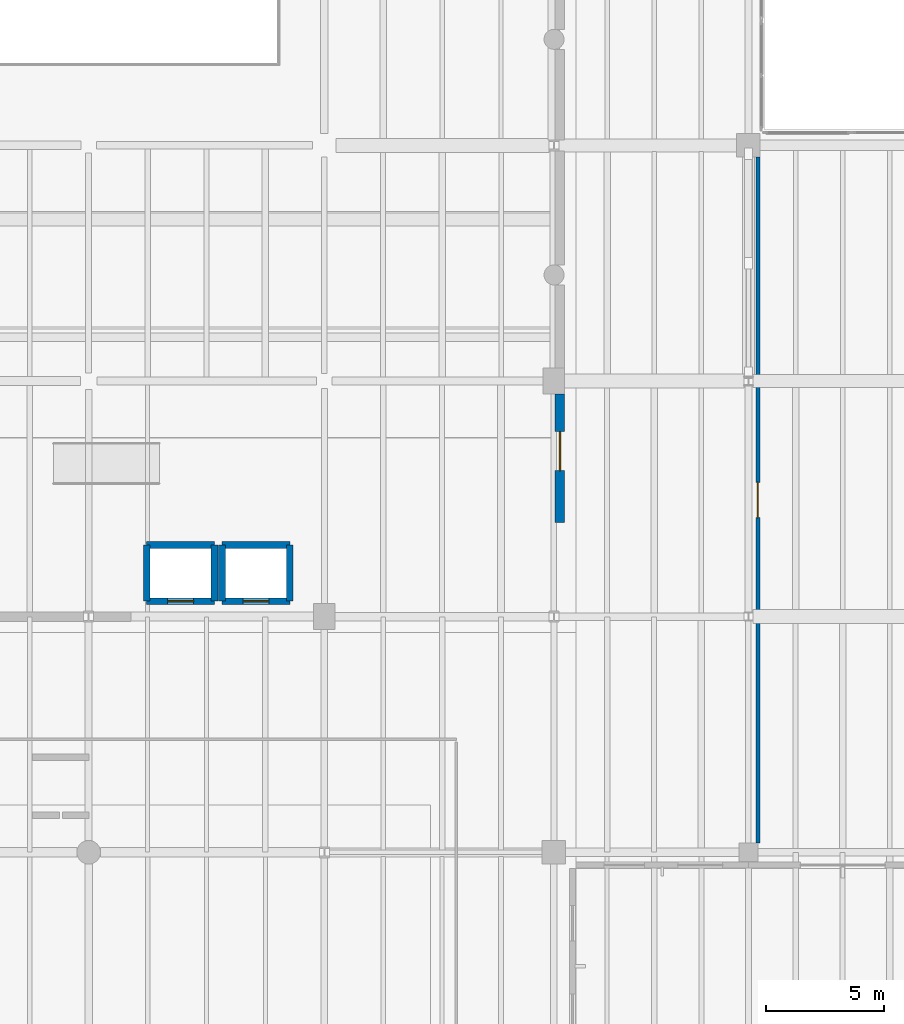
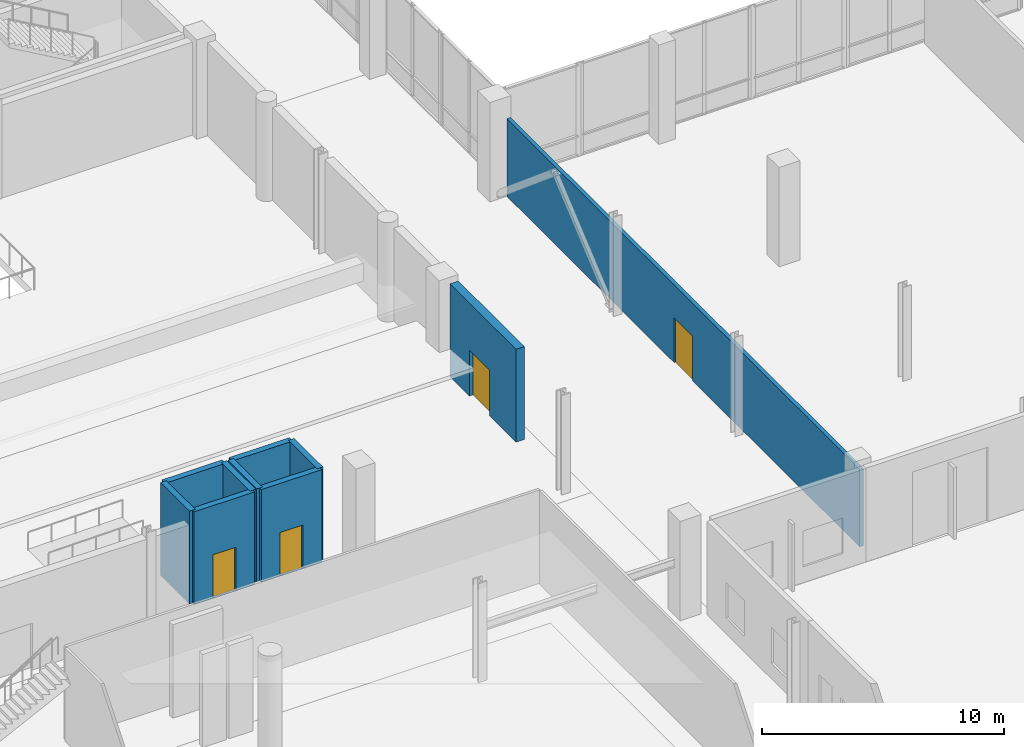
# One storey, part 69 of 88: 10 walls, 4 doors, 4 openings.
"""IFC4 building model written with IfcOpenShell, lengths in metres."""

import ifcopenshell
import ifcopenshell.guid

model = None  # the IFC model being written
_history = None  # IfcOwnerHistory: only IFC2X3 demands one
_inside = {}  # id of a spatial element -> (the spatial element, [elements in it])
_under = {}  # id of a project, library or spatial element -> (it, [spatial elements below it])
_declared = {}  # id of a project -> (the project, [libraries it declares])
_typed = {}  # id of a type object -> (the type object, [elements of that type])
_made_of = {}  # id of a material, layer set ... -> (it, [elements and type objects made of it])


def new_model(schema):
    """Start an empty IFC model of exactly this schema.

    Asked for "IFC4X3", IfcOpenShell would pick the latest addendum, in which some entities
    have other attributes; the version numbers below select the first issue.
    IFC2X3 requires an IfcOwnerHistory on every rooted entity: one is made here for all.
    """
    global model, _history
    if schema == "IFC4X3":
        model = ifcopenshell.file(schema_version=(4, 3, 0, 0))
    else:
        model = ifcopenshell.file(schema=schema)
    _inside.clear()
    _under.clear()
    _declared.clear()
    _typed.clear()
    _made_of.clear()
    _history = None
    if model.schema == "IFC2X3":
        org = make("IfcOrganization", Name="unknown")
        user = make(
            "IfcPersonAndOrganization",
            ThePerson=make("IfcPerson", FamilyName="unknown"),
            TheOrganization=org,
        )
        app = make(
            "IfcApplication",
            ApplicationDeveloper=org,
            Version="unknown",
            ApplicationFullName="unknown",
            ApplicationIdentifier="unknown",
        )
        _history = make(
            "IfcOwnerHistory",
            OwningUser=user,
            OwningApplication=app,
            ChangeAction="ADDED",
            CreationDate=0,
        )
    return model


def make(cls, **values):
    """One entity of the class cls with the attributes given. An attribute that is None is left unset."""
    return model.create_entity(
        cls, **{name: value for name, value in values.items() if value is not None}
    )


def rooted(cls, **values):
    """An entity with a GlobalId (a new one), such as an element, a storey or a relation."""
    return make(cls, GlobalId=ifcopenshell.guid.new(), OwnerHistory=_history, **values)


def si_unit(unit_type, name, prefix=None):
    """IfcSIUnit, for example si_unit("LENGTHUNIT", "METRE", prefix="MILLI")."""
    return make("IfcSIUnit", UnitType=unit_type, Prefix=prefix, Name=name)


def assignment(units):
    """IfcUnitAssignment: the units of a project."""
    return None if units is None else make("IfcUnitAssignment", Units=units)


def point(xyz):
    """IfcCartesianPoint."""
    return None if xyz is None else make("IfcCartesianPoint", Coordinates=xyz)


def direction(xyz):
    """IfcDirection."""
    return None if xyz is None else make("IfcDirection", DirectionRatios=xyz)


def frame(location, z_axis=None, x_axis=None):
    """IfcAxis2Placement3D, a coordinate frame: its origin and axes. An axis left out is left unset."""
    return make(
        "IfcAxis2Placement3D",
        Location=point(location),
        Axis=direction(z_axis),
        RefDirection=direction(x_axis),
    )


def frame_2d(location, x_axis=None):
    """IfcAxis2Placement2D, a coordinate frame in the plane: its origin and x axis."""
    return make(
        "IfcAxis2Placement2D", Location=point(location), RefDirection=direction(x_axis)
    )


def origin():
    """The frame at (0, 0, 0) with its axes left unset."""
    return frame((0.0, 0.0, 0.0))


def place(relative_to, where):
    """IfcLocalPlacement: puts the frame where relative to a parent placement (None: the world)."""
    return make(
        "IfcLocalPlacement", PlacementRelTo=relative_to, RelativePlacement=where
    )


def context(
    kind, dimensions, precision=None, world=None, true_north=None, identifier=None
):
    """IfcGeometricRepresentationContext, for example the 3D "Model" context."""
    return make(
        "IfcGeometricRepresentationContext",
        ContextIdentifier=identifier,
        ContextType=kind,
        CoordinateSpaceDimension=dimensions,
        Precision=precision,
        WorldCoordinateSystem=world,
        TrueNorth=true_north,
    )


def subcontext(parent, identifier, kind, view, scale=None):
    """IfcGeometricRepresentationSubContext, for example "Body" below "Model"."""
    return make(
        "IfcGeometricRepresentationSubContext",
        ContextIdentifier=identifier,
        ContextType=kind,
        ParentContext=parent,
        TargetScale=scale,
        TargetView=view,
    )


def project(units=None, contexts=None):
    """IfcProject with its units and contexts."""
    return rooted(
        "IfcProject",
        Name="project",
        RepresentationContexts=contexts,
        UnitsInContext=assignment(units),
    )


def spatial(cls, under=None, at=None, **own):
    """A site, building, storey or space (cls), placed at a placement, below another one or the project."""
    s = rooted(cls, ObjectPlacement=at, **own)
    if under is not None:
        _under.setdefault(under.id(), (under, []))[1].append(s)
    return s


def profile(cls, at=None, kind="AREA", **sizes):
    """A parametric profile (cls). Its sizes go by their IFC names, for example OverallWidth=200.0."""
    return make(cls, ProfileType=kind, Position=at, **sizes)


def rectangle(**sizes):
    """IfcRectangleProfileDef."""
    return profile("IfcRectangleProfileDef", **sizes)


def extrude(swept, where, along, depth):
    """IfcExtrudedAreaSolid: the profile swept, set in the frame where, extruded along a direction by depth."""
    return make(
        "IfcExtrudedAreaSolid",
        SweptArea=swept,
        Position=where,
        ExtrudedDirection=direction(along),
        Depth=depth,
    )


def shape(context_of_items, identifier, shape_type, items):
    """IfcShapeRepresentation: the items that make up one representation, for example the "Body"."""
    return make(
        "IfcShapeRepresentation",
        ContextOfItems=context_of_items,
        RepresentationIdentifier=identifier,
        RepresentationType=shape_type,
        Items=items,
    )


def material(Name=None, Category=None):
    """IfcMaterial."""
    return make("IfcMaterial", Name=Name, Category=Category)


def layer(
    of_material, thickness, ventilated=None, Name=None, Category=None, Priority=None
):
    """IfcMaterialLayer: one layer of a wall or slab, of a material (None: an air gap)."""
    return make(
        "IfcMaterialLayer",
        Material=of_material,
        LayerThickness=thickness,
        IsVentilated=ventilated,
        Name=Name,
        Category=Category,
        Priority=Priority,
    )


def layer_set(layers, Name=None):
    """IfcMaterialLayerSet."""
    return make("IfcMaterialLayerSet", MaterialLayers=layers, LayerSetName=Name)


def made_of(thing, what):
    """Note that an element or type object is made of a material, layer set ...; save() writes the relation."""
    if what is not None:
        _made_of.setdefault(what.id(), (what, []))[1].append(thing)
    return thing


def type_object(cls, material=None, **own):
    """A type object (cls), such as IfcWallType, which elements share."""
    return made_of(rooted(cls, **own), material)


def element(
    cls,
    number,
    at=None,
    inside=None,
    cuts=None,
    type_object=None,
    material=None,
    context=None,
    identifier="Body",
    shape_type=None,
    held_by="IfcProductDefinitionShape",
    body=None,
    shapes=None,
    **own,
):
    """One element of the class cls, such as IfcWall. Its Tag is "e" and its number.

    at: its placement. inside: the storey or other place that contains it. cuts: it is an
    opening in that element (IfcRelVoidsElement). A single representation is given by context,
    identifier, shape_type and body (its items); several are given by shapes. held_by: the class
    of the entity that holds the representations. save() writes the other relations.
    """
    e = rooted(cls, Tag="e%d" % number, ObjectPlacement=at, **own)
    if body is not None:
        shapes = [shape(context, identifier, shape_type, body)]
    if shapes is not None:
        e.Representation = make(held_by, Representations=shapes)
    if inside is not None:
        _inside.setdefault(inside.id(), (inside, []))[1].append(e)
    if cuts is not None:
        rooted(
            "IfcRelVoidsElement", RelatingBuildingElement=cuts, RelatedOpeningElement=e
        )
    if type_object is not None:
        _typed.setdefault(type_object.id(), (type_object, []))[1].append(e)
    return made_of(e, material)


def fill(opening, filler):
    """IfcRelFillsElement: the door or window that sits in an opening."""
    return rooted(
        "IfcRelFillsElement",
        RelatingOpeningElement=opening,
        RelatedBuildingElement=filler,
    )


def aggregate(whole, parts):
    """IfcRelAggregates: a whole, such as a stair, and the parts it consists of."""
    return rooted("IfcRelAggregates", RelatingObject=whole, RelatedObjects=parts)


def save(model, path):
    """Write the relations noted so far, then the file.

    IfcRelAggregates (storeys below a building ...), IfcRelContainedInSpatialStructure (elements
    in a storey), IfcRelDefinesByType, IfcRelAssociatesMaterial and IfcRelDeclares: one each for
    every whole, place, type object, material and project.
    """
    for whole, parts in _under.values():
        aggregate(whole, parts)
    for where, things in _inside.values():
        rooted(
            "IfcRelContainedInSpatialStructure",
            RelatedElements=things,
            RelatingStructure=where,
        )
    for kind, things in _typed.values():
        rooted("IfcRelDefinesByType", RelatedObjects=things, RelatingType=kind)
    for what, things in _made_of.values():
        rooted("IfcRelAssociatesMaterial", RelatedObjects=things, RelatingMaterial=what)
    for by, libraries in _declared.values():
        rooted("IfcRelDeclares", RelatingContext=by, RelatedDefinitions=libraries)
    model.write(path)


model = new_model("IFC4")

# Units and contexts
model_context = context("Model", 3, precision=1e-05, world=origin(), true_north=direction((0.0, 1.0)))
body_context = subcontext(model_context, "Body", "Model", "MODEL_VIEW")
ifc_project = project(units=[si_unit("LENGTHUNIT", "METRE"), si_unit("AREAUNIT", "SQUARE_METRE"), si_unit("VOLUMEUNIT", "CUBIC_METRE"), si_unit("PLANEANGLEUNIT", "RADIAN"), si_unit("MASSUNIT", "GRAM", prefix="KILO")], contexts=[model_context])

# Site, building, storey
site_placement = place(None, origin())
site = spatial("IfcSite", under=ifc_project, at=site_placement, CompositionType="ELEMENT")
building_placement = place(site_placement, origin())
building = spatial("IfcBuilding", under=site, at=building_placement, Name="Trimount Lyric Opera House", CompositionType="ELEMENT")
storey_placement = place(building_placement, origin())
storey = spatial("IfcBuildingStorey", under=building, at=storey_placement, Name="L00", CompositionType="ELEMENT", Elevation=0.0)

# Wall, opening, door
ifc_material_1 = material(Name="Acoustic Double-Stud Gypsum Board")
ifc_layer_1 = layer(ifc_material_1, 0.179931640625)
ifc_layer_set_1 = layer_set([ifc_layer_1], Name="WL-PT180")
wall_type_1 = type_object("IfcWallType", Name="WL-PT180", PredefinedType="PARTITIONING", material=ifc_layer_set_1)
wall_1_placement = place(storey_placement, frame((122.39990234375, 73.5, 0.0), z_axis=(0.0, 0.0, 1.0), x_axis=(0.0, -1.0, 0.0)))
wall_1 = element("IfcWall", 1, at=wall_1_placement, inside=storey, type_object=wall_type_1, Name="L00 Scenery Carpentry & Dock Hall W partition", PredefinedType="PARTITIONING", context=body_context, shape_type="SweptSolid", body=[
    extrude(rectangle(XDim=29.10009765625, YDim=0.179931640625, at=frame_2d((14.550048828125, 0.0))), origin(), (0.0, 0.0, 1.0), 3.909912109375),
])
opening_1_placement = place(wall_1_placement, frame((13.800048828125, 0.0, 0.0)))
opening_1 = element("IfcOpeningElement", 2, at=opening_1_placement, cuts=wall_1, Name="Opening DT-PL1", PredefinedType="OPENING", context=body_context, shape_type="SweptSolid", body=[
    extrude(rectangle(XDim=1.5, YDim=2.25, at=frame_2d((0.75, 1.125))), frame((0.0, 0.10009765625, 0.0), z_axis=(0.0, -1.0, 0.0), x_axis=(1.0, 0.0, 0.0)), (0.0, 0.0, 1.0), 0.199951171875),
])
ifc_material_2 = material(Name="Fire-Rated Painted Steel", Category="steel")
door_type_1 = type_object("IfcDoorType", Name="DT-PL1", OperationType="DOUBLE_DOOR_SINGLE_SWING", PredefinedType="DOOR", material=ifc_material_2)
door_1_placement = place(opening_1_placement, origin())
door_1 = element("IfcDoor", 3, at=door_1_placement, inside=storey, type_object=door_type_1, Name="D-188", OperationType="DOUBLE_DOOR_SINGLE_SWING", OverallHeight=2.25, OverallWidth=1.5, PredefinedType="DOOR", context=body_context, shape_type="SweptSolid", body=[
    extrude(rectangle(XDim=1.5, YDim=2.25, at=frame_2d((0.75, 1.125))), frame((0.0, 0.02490234375, 0.0), z_axis=(0.0, -1.0, 0.0), x_axis=(1.0, 0.0, 0.0)), (0.0, 0.0, 1.0), 0.050048828125),
])
fill(opening_1, door_1)

ifc_material_3 = material(Name="Concrete C40/50", Category="concrete")
ifc_layer_2 = layer(ifc_material_3, 0.280029296875)
ifc_layer_set_2 = layer_set([ifc_layer_2], Name="WL-SH280")
wall_type_2 = type_object("IfcWallType", Name="WL-SH280", PredefinedType="SHEAR", material=ifc_layer_set_2)
wall_2_placement = place(storey_placement, frame((96.4599609375, 54.659912109375, 0.0), z_axis=(0.0, 0.0, 1.0), x_axis=(1.0, 0.0, 0.0)))
wall_2 = element("IfcWall", 4, at=wall_2_placement, inside=storey, type_object=wall_type_2, Name="Lift LF-03 L00 south shaft wall", PredefinedType="SHEAR", context=body_context, shape_type="SweptSolid", body=[
    extrude(rectangle(XDim=2.880126953125, YDim=0.280029296875, at=frame_2d((1.43994140625, 0.0))), origin(), (0.0, 0.0, 1.0), 4.675048828125),
])
opening_2_placement = place(wall_2_placement, frame((0.889892578125, 0.0, 0.0)))
opening_2 = element("IfcOpeningElement", 5, at=opening_2_placement, cuts=wall_2, Name="Opening DT-LD1", PredefinedType="OPENING", context=body_context, shape_type="SweptSolid", body=[
    extrude(rectangle(XDim=1.10009765625, YDim=2.199951171875, at=frame_2d((0.550048828125, 1.10009765625))), frame((0.0, 0.14990234375, 0.0), z_axis=(0.0, -1.0, 0.0), x_axis=(1.0, 0.0, 0.0)), (0.0, 0.0, 1.0), 0.300048828125),
])
ifc_material_4 = material(Name="Brushed Stainless Steel", Category="steel")
door_type_2 = type_object("IfcDoorType", Name="DT-LD1", OperationType="SLIDING_TO_LEFT", PredefinedType="DOOR", material=ifc_material_4)
door_2_placement = place(opening_2_placement, origin())
door_2 = element("IfcDoor", 6, at=door_2_placement, inside=storey, type_object=door_type_2, Name="D-080", OperationType="SLIDING_TO_LEFT", OverallHeight=2.199951171875, OverallWidth=1.10009765625, PredefinedType="DOOR", context=body_context, shape_type="SweptSolid", body=[
    extrude(rectangle(XDim=1.10009765625, YDim=2.199951171875, at=frame_2d((0.550048828125, 1.10009765625))), frame((0.0, 0.02490234375, 0.0), z_axis=(0.0, -1.0, 0.0), x_axis=(1.0, 0.0, 0.0)), (0.0, 0.0, 1.0), 0.050048828125),
])
fill(opening_2, door_2)

# Walls
wall_3_placement = place(storey_placement, frame((99.340087890625, 57.0400390625, 0.0), z_axis=(0.0, 0.0, 1.0), x_axis=(-1.0, 0.0, 0.0)))
element("IfcWall", 7, at=wall_3_placement, inside=storey, type_object=wall_type_2, Name="Lift LF-03 L00 north shaft wall", PredefinedType="SHEAR", context=body_context, shape_type="SweptSolid", body=[
    extrude(rectangle(XDim=2.880126953125, YDim=0.280029296875, at=frame_2d((1.43994140625, 0.0))), origin(), (0.0, 0.0, 1.0), 4.675048828125),
])
for number, where, z_axis, x_axis, name in (
    (8, (96.4599609375, 57.0400390625, 0.0), (0.0, 0.0, 1.0), (0.0, -1.0, 0.0), "Lift LF-03 L00 west shaft wall"),
    (9, (99.340087890625, 54.659912109375, 0.0), (0.0, 0.0, 1.0), (0.0, 1.0, 0.0), "Lift LF-03 L00 east shaft wall"),
):
    element("IfcWall", number, at=place(storey_placement, frame(where, z_axis=z_axis, x_axis=x_axis)), inside=storey, type_object=wall_type_2, Name=name, PredefinedType="SHEAR", context=body_context, shape_type="SweptSolid", body=[
        extrude(rectangle(XDim=2.380126953125, YDim=0.280029296875, at=frame_2d((1.18994140625, 0.0))), origin(), (0.0, 0.0, 1.0), 4.675048828125),
    ])

# Wall, opening, door
wall_4_placement = place(storey_placement, frame((99.659912109375, 54.659912109375, 0.0), z_axis=(0.0, 0.0, 1.0), x_axis=(1.0, 0.0, 0.0)))
wall_4 = element("IfcWall", 10, at=wall_4_placement, inside=storey, type_object=wall_type_2, Name="Lift LF-04 L00 south shaft wall", PredefinedType="SHEAR", context=body_context, shape_type="SweptSolid", body=[
    extrude(rectangle(XDim=2.880126953125, YDim=0.280029296875, at=frame_2d((1.43994140625, 0.0))), origin(), (0.0, 0.0, 1.0), 4.675048828125),
])
opening_3_placement = place(wall_4_placement, frame((0.889892578125, 0.0, 0.0)))
opening_3 = element("IfcOpeningElement", 11, at=opening_3_placement, cuts=wall_4, Name="Opening DT-LD1", PredefinedType="OPENING", context=body_context, shape_type="SweptSolid", body=[
    extrude(rectangle(XDim=1.10009765625, YDim=2.199951171875, at=frame_2d((0.550048828125, 1.10009765625))), frame((0.0, 0.14990234375, 0.0), z_axis=(0.0, -1.0, 0.0), x_axis=(1.0, 0.0, 0.0)), (0.0, 0.0, 1.0), 0.300048828125),
])
door_3_placement = place(opening_3_placement, origin())
door_3 = element("IfcDoor", 12, at=door_3_placement, inside=storey, type_object=door_type_2, Name="D-086", OperationType="SLIDING_TO_LEFT", OverallHeight=2.199951171875, OverallWidth=1.10009765625, PredefinedType="DOOR", context=body_context, shape_type="SweptSolid", body=[
    extrude(rectangle(XDim=1.10009765625, YDim=2.199951171875, at=frame_2d((0.550048828125, 1.10009765625))), frame((0.0, 0.02490234375, 0.0), z_axis=(0.0, -1.0, 0.0), x_axis=(1.0, 0.0, 0.0)), (0.0, 0.0, 1.0), 0.050048828125),
])
fill(opening_3, door_3)

# Walls
wall_5_placement = place(storey_placement, frame((102.5400390625, 57.0400390625, 0.0), z_axis=(0.0, 0.0, 1.0), x_axis=(-1.0, 0.0, 0.0)))
element("IfcWall", 13, at=wall_5_placement, inside=storey, type_object=wall_type_2, Name="Lift LF-04 L00 north shaft wall", PredefinedType="SHEAR", context=body_context, shape_type="SweptSolid", body=[
    extrude(rectangle(XDim=2.880126953125, YDim=0.280029296875, at=frame_2d((1.43994140625, 0.0))), origin(), (0.0, 0.0, 1.0), 4.675048828125),
])
for number, where, z_axis, x_axis, name in (
    (14, (99.659912109375, 57.0400390625, 0.0), (0.0, 0.0, 1.0), (0.0, -1.0, 0.0), "Lift LF-04 L00 west shaft wall"),
    (15, (102.5400390625, 54.659912109375, 0.0), (0.0, 0.0, 1.0), (0.0, 1.0, 0.0), "Lift LF-04 L00 east shaft wall"),
):
    element("IfcWall", number, at=place(storey_placement, frame(where, z_axis=z_axis, x_axis=x_axis)), inside=storey, type_object=wall_type_2, Name=name, PredefinedType="SHEAR", context=body_context, shape_type="SweptSolid", body=[
        extrude(rectangle(XDim=2.380126953125, YDim=0.280029296875, at=frame_2d((1.18994140625, 0.0))), origin(), (0.0, 0.0, 1.0), 4.675048828125),
    ])

# Wall, opening, door
ifc_material_5 = material(Name="Concrete C40/50", Category="concrete")
ifc_layer_3 = layer(ifc_material_5, 0.39990234375)
ifc_layer_set_3 = layer_set([ifc_layer_3], Name="WL-SH400")
wall_type_3 = type_object("IfcWallType", Name="WL-SH400", PredefinedType="SHEAR", material=ifc_layer_set_3)
wall_6_placement = place(storey_placement, frame((114.0, 58.0, 0.0), z_axis=(0.0, 0.0, 1.0), x_axis=(0.0, 1.0, 0.0)))
wall_6 = element("IfcWall", 16, at=wall_6_placement, inside=storey, type_object=wall_type_3, Name="L00 auditorium east acoustic shear wall", PredefinedType="SHEAR", context=body_context, shape_type="SweptSolid", body=[
    extrude(rectangle(XDim=5.449951171875, YDim=0.39990234375, at=frame_2d((2.72509765625, 0.0))), origin(), (0.0, 0.0, 1.0), 4.675048828125),
])
opening_4_placement = place(wall_6_placement, frame((2.199951171875, 0.0, 0.0)))
opening_4 = element("IfcOpeningElement", 17, at=opening_4_placement, cuts=wall_6, Name="Opening DT-AUD2", PredefinedType="OPENING", context=body_context, shape_type="SweptSolid", body=[
    extrude(rectangle(XDim=1.64990234375, YDim=2.300048828125, at=frame_2d((0.824951171875, 1.14990234375))), frame((0.0, 0.2099609375, 0.0), z_axis=(0.0, -1.0, 0.0), x_axis=(1.0, 0.0, 0.0)), (0.0, 0.0, 1.0), 0.419921875),
])
ifc_material_6 = material(Name="Solid White Oak Acoustic")
door_type_3 = type_object("IfcDoorType", Name="DT-AUD2", OperationType="DOUBLE_DOOR_SINGLE_SWING", PredefinedType="DOOR", material=ifc_material_6)
door_4_placement = place(opening_4_placement, origin())
door_4 = element("IfcDoor", 18, at=door_4_placement, inside=storey, type_object=door_type_3, Name="D-121", OperationType="DOUBLE_DOOR_SINGLE_SWING", OverallHeight=2.300048828125, OverallWidth=1.64990234375, PredefinedType="DOOR", context=body_context, shape_type="SweptSolid", body=[
    extrude(rectangle(XDim=1.64990234375, YDim=2.300048828125, at=frame_2d((0.824951171875, 1.14990234375))), frame((0.0, 0.02490234375, 0.0), z_axis=(0.0, -1.0, 0.0), x_axis=(1.0, 0.0, 0.0)), (0.0, 0.0, 1.0), 0.050048828125),
])
fill(opening_4, door_4)

save(model, "model.ifc")
